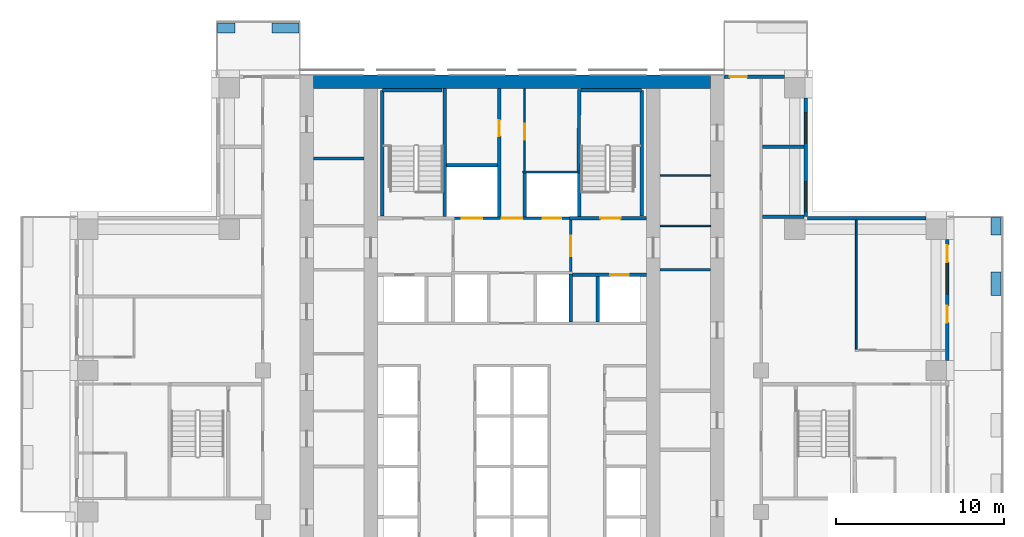
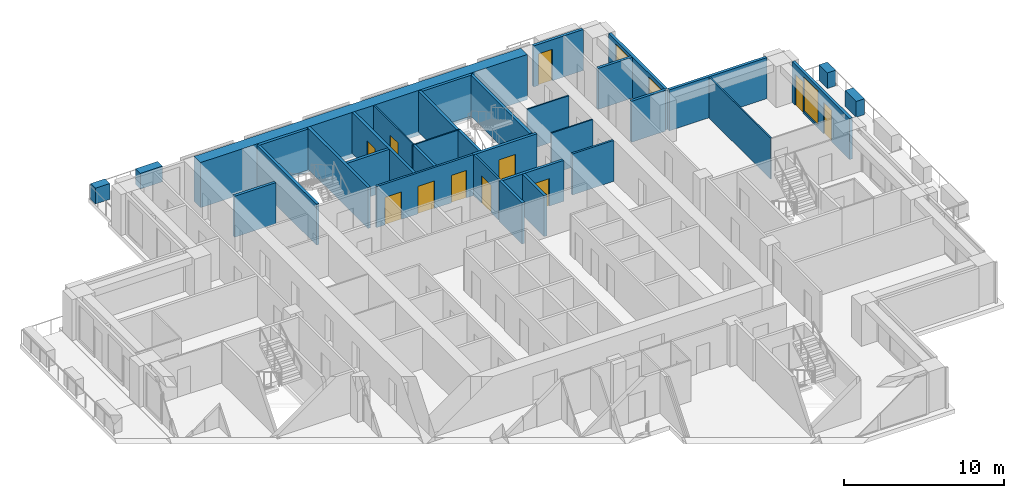
# One storey, part 11 of 16: 34 walls, 11 doors, 3 windows, 14 openings.
"""IFC4 building model written with IfcOpenShell, lengths in metres."""

from ifc_helpers import new_model, si_unit, direction, frame, frame_2d, origin, place, context, subcontext, project, spatial, rectangle, extrude, material, layer, layer_set, type_object, element, fill, save


model = new_model("IFC4")

# Units and contexts
model_context = context("Model", 3, precision=1e-05, world=origin(), true_north=direction((0.0, 1.0)))
body_context = subcontext(model_context, "Body", "Model", "MODEL_VIEW")
ifc_project = project(units=[si_unit("LENGTHUNIT", "METRE"), si_unit("AREAUNIT", "SQUARE_METRE"), si_unit("VOLUMEUNIT", "CUBIC_METRE"), si_unit("PLANEANGLEUNIT", "RADIAN"), si_unit("MASSUNIT", "GRAM", prefix="KILO")], contexts=[model_context])

# Site, building, storey
site_placement = place(None, origin())
site = spatial("IfcSite", under=ifc_project, at=site_placement, CompositionType="ELEMENT")
building_placement = place(site_placement, origin())
building = spatial("IfcBuilding", under=site, at=building_placement, Name="Vermilion Ogive Tower", CompositionType="ELEMENT")
storey_placement = place(building_placement, frame((0.0, 0.0, 101.10009765625)))
storey = spatial("IfcBuildingStorey", under=building, at=storey_placement, Name="L25", CompositionType="ELEMENT", Elevation=101.10009765625)

# Walls
ifc_material_1 = material(Name="Concrete B80", Category="concrete")
ifc_layer_1 = layer(ifc_material_1, 0.800048828125)
ifc_layer_set_1 = layer_set([ifc_layer_1], Name="Core wall 800 B80")
wall_type_1 = type_object("IfcWallType", Name="Core wall 800 B80", PredefinedType="SHEAR", material=ifc_layer_set_1)
wall_1_placement = place(storey_placement, frame((-11.800048828125, 21.35009765625, -0.320068359375), z_axis=(0.0, 0.0, 1.0), x_axis=(1.0, 0.0, 0.0)))
element("IfcWall", 1, at=wall_1_placement, inside=storey, type_object=wall_type_1, Name="L25-CORE-N", PredefinedType="SHEAR", context=body_context, shape_type="SweptSolid", body=[
    extrude(rectangle(XDim=23.60009765625, YDim=0.800048828125, at=frame_2d((11.800048828125, 0.0))), origin(), (0.0, 0.0, 1.0), 3.449951171875),
])
ifc_material_2 = material(Name="Gypsum board partition on steel studs", Category="steel")
ifc_layer_2 = layer(ifc_material_2, 0.10009765625)
ifc_layer_set_2 = layer_set([ifc_layer_2], Name="Partition 100 bath")
wall_type_2 = type_object("IfcWallType", Name="Partition 100 bath", PredefinedType="PARTITIONING", material=ifc_layer_set_2)
wall_2_placement = place(storey_placement, frame((0.64990234375, 16.0, 0.0), z_axis=(0.0, 0.0, 1.0), x_axis=(1.0, 0.0, 0.0)))
element("IfcWall", 2, at=wall_2_placement, inside=storey, type_object=wall_type_2, Name="L25-CK-W-W021", PredefinedType="PARTITIONING", context=body_context, shape_type="SweptSolid", body=[
    extrude(rectangle(XDim=3.4501953125, YDim=0.10009765625, at=frame_2d((1.72509765625, 0.0))), origin(), (0.0, 0.0, 1.0), 3.1298828125),
])

# Wall, opening, door
wall_3_placement = place(storey_placement, frame((0.75, 16.050048828125, 0.0), z_axis=(0.0, 0.0, 1.0), x_axis=(0.0, 1.0, 0.0)))
wall_3 = element("IfcWall", 3, at=wall_3_placement, inside=storey, type_object=wall_type_2, Name="L25-CK-W-W033", PredefinedType="PARTITIONING", context=body_context, shape_type="SweptSolid", body=[
    extrude(rectangle(XDim=4.89892578125, YDim=0.10009765625, at=frame_2d((2.449462890625, 0.0))), origin(), (0.0, 0.0, 1.0), 3.1298828125),
])
opening_1_placement = place(wall_3_placement, frame((1.875, 0.0, 0.0)))
opening_1 = element("IfcOpeningElement", 4, at=opening_1_placement, cuts=wall_3, Name="Opening DAA193", PredefinedType="OPENING", context=body_context, shape_type="SweptSolid", body=[
    extrude(rectangle(XDim=0.949951171875, YDim=2.10009765625, at=frame_2d((0.47509765625, 1.050048828125))), frame((0.0, 0.06005859375, 0.0), z_axis=(0.0, -1.0, 0.0), x_axis=(1.0, 0.0, 0.0)), (0.0, 0.0, 1.0), 0.1201171875),
])
ifc_material_3 = material(Name="Timber door leaf", Category="wood")
door_type_1 = type_object("IfcDoorType", Name="Service door 950 x 2100 FD60", OperationType="SINGLE_SWING_LEFT", PredefinedType="DOOR", material=ifc_material_3)
door_1_placement = place(opening_1_placement, origin())
door_1 = element("IfcDoor", 5, at=door_1_placement, inside=storey, type_object=door_type_1, Name="L25-CK-D-D022", OperationType="SINGLE_SWING_LEFT", OverallHeight=2.10009765625, OverallWidth=0.949951171875, PredefinedType="DOOR", context=body_context, shape_type="SweptSolid", body=[
    extrude(rectangle(XDim=0.949951171875, YDim=2.10009765625, at=frame_2d((0.47509765625, 1.050048828125))), frame((0.0, 0.02490234375, 0.0), z_axis=(0.0, -1.0, 0.0), x_axis=(1.0, 0.0, 0.0)), (0.0, 0.0, 1.0), 0.050048828125),
])
fill(opening_1, door_1)

# Walls
for number, where, z_axis, x_axis, name in (
    (6, (8.801025390625, 12.800048828125, 0.0), (0.0, 0.0, 1.0), (1.0, 0.0, 0.0), "L25-CKE-W-W004"),
    (7, (8.801025390625, 15.800048828125, 0.0), (0.0, 0.0, 1.0), (1.0, 0.0, 0.0), "L25-CKE-W-W005"),
):
    element("IfcWall", number, at=place(storey_placement, frame(where, z_axis=z_axis, x_axis=x_axis)), inside=storey, type_object=wall_type_2, Name=name, PredefinedType="PARTITIONING", context=body_context, shape_type="SweptSolid", body=[
        extrude(rectangle(XDim=2.998046875, YDim=0.10009765625, at=frame_2d((1.4990234375, 0.0))), origin(), (0.0, 0.0, 1.0), 3.1298828125),
    ])
ifc_material_4 = material(Name="Gypsum board partition on steel studs", Category="steel")
ifc_layer_3 = layer(ifc_material_4, 0.10009765625)
ifc_layer_set_3 = layer_set([ifc_layer_3], Name="Partition 100 inner")
wall_type_3 = type_object("IfcWallType", Name="Partition 100 inner", PredefinedType="PARTITIONING", material=ifc_layer_set_3)
wall_4_placement = place(storey_placement, frame((20.449951171875, 5.449951171875, 0.0), z_axis=(0.0, 0.0, 1.0), x_axis=(0.0, 1.0, 0.0)))
element("IfcWall", 8, at=wall_4_placement, inside=storey, type_object=wall_type_3, Name="L25-W-W050", PredefinedType="PARTITIONING", context=body_context, shape_type="SweptSolid", body=[
    extrude(rectangle(XDim=7.699951171875, YDim=0.10009765625, at=frame_2d((3.85009765625, 0.0))), origin(), (0.0, 0.0, 1.0), 3.1298828125),
])

# Wall, openings, doors
ifc_material_5 = material(Name="Gypsum board partition on steel studs", Category="steel")
ifc_layer_4 = layer(ifc_material_5, 0.14990234375)
ifc_layer_set_4 = layer_set([ifc_layer_4], Name="Partition 150 corridor")
wall_type_4 = type_object("IfcWallType", Name="Partition 150 corridor", PredefinedType="PARTITIONING", material=ifc_layer_set_4)
wall_5_placement = place(storey_placement, frame((-3.574951171875, 13.25, 0.0), z_axis=(0.0, 0.0, 1.0), x_axis=(1.0, 0.0, 0.0)))
wall_5 = element("IfcWall", 9, at=wall_5_placement, inside=storey, type_object=wall_type_4, Name="L25-CK-W-W019", PredefinedType="PARTITIONING", context=body_context, shape_type="SweptSolid", body=[
    extrude(rectangle(XDim=7.14990234375, YDim=0.14990234375, at=frame_2d((3.574951171875, 0.0))), origin(), (0.0, 0.0, 1.0), 3.1298828125),
])
opening_2_placement = place(wall_5_placement, frame((0.599853515625, 0.0, 0.0)))
opening_2 = element("IfcOpeningElement", 10, at=opening_2_placement, cuts=wall_5, Name="Opening DAA207", PredefinedType="OPENING", context=body_context, shape_type="SweptSolid", body=[
    extrude(rectangle(XDim=1.199951171875, YDim=2.10009765625, at=frame_2d((0.60009765625, 1.050048828125))), frame((0.0, 0.0849609375, 0.0), z_axis=(0.0, -1.0, 0.0), x_axis=(1.0, 0.0, 0.0)), (0.0, 0.0, 1.0), 0.169921875),
])
opening_3_placement = place(wall_5_placement, frame((5.39990234375, 0.0, 0.0)))
opening_3 = element("IfcOpeningElement", 11, at=opening_3_placement, cuts=wall_5, Name="Opening DAA198", PredefinedType="OPENING", context=body_context, shape_type="SweptSolid", body=[
    extrude(rectangle(XDim=1.10009765625, YDim=2.10009765625, at=frame_2d((0.550048828125, 1.050048828125))), frame((0.0, 0.0849609375, 0.0), z_axis=(0.0, -1.0, 0.0), x_axis=(1.0, 0.0, 0.0)), (0.0, 0.0, 1.0), 0.169921875),
])
opening_4_placement = place(wall_5_placement, frame((2.974853515625, 0.0, 0.0)))
opening_4 = element("IfcOpeningElement", 12, at=opening_4_placement, cuts=wall_5, Name="Opening DAA188", PredefinedType="OPENING", context=body_context, shape_type="SweptSolid", body=[
    extrude(rectangle(XDim=1.199951171875, YDim=2.10009765625, at=frame_2d((0.60009765625, 1.050048828125))), frame((0.0, 0.0849609375, 0.0), z_axis=(0.0, -1.0, 0.0), x_axis=(1.0, 0.0, 0.0)), (0.0, 0.0, 1.0), 0.169921875),
])
ifc_material_6 = material(Name="Stainless steel", Category="steel")
door_type_2 = type_object("IfcDoorType", Name="Lift landing door 1100 x 2100", OperationType="SLIDING_TO_LEFT", PredefinedType="DOOR", material=ifc_material_6)
door_2_placement = place(opening_3_placement, origin())
door_2 = element("IfcDoor", 13, at=door_2_placement, inside=storey, type_object=door_type_2, Name="L25-CK-D-D019", OperationType="SLIDING_TO_LEFT", OverallHeight=2.10009765625, OverallWidth=1.10009765625, PredefinedType="DOOR", context=body_context, shape_type="SweptSolid", body=[
    extrude(rectangle(XDim=1.10009765625, YDim=2.10009765625, at=frame_2d((0.550048828125, 1.050048828125))), frame((0.0, 0.02490234375, 0.0), z_axis=(0.0, -1.0, 0.0), x_axis=(1.0, 0.0, 0.0)), (0.0, 0.0, 1.0), 0.050048828125),
])
fill(opening_3, door_2)
ifc_material_7 = material(Name="Stainless steel", Category="steel")
door_type_3 = type_object("IfcDoorType", Name="Lift landing door 1200 x 2100", OperationType="SLIDING_TO_LEFT", PredefinedType="DOOR", material=ifc_material_7)
door_3_placement = place(opening_2_placement, origin())
door_3 = element("IfcDoor", 14, at=door_3_placement, inside=storey, type_object=door_type_3, Name="L25-CK-D-D018", OperationType="SLIDING_TO_RIGHT", OverallHeight=2.10009765625, OverallWidth=1.199951171875, PredefinedType="DOOR", context=body_context, shape_type="SweptSolid", body=[
    extrude(rectangle(XDim=1.199951171875, YDim=2.10009765625, at=frame_2d((0.60009765625, 1.050048828125))), frame((0.0, 0.02490234375, 0.0), z_axis=(0.0, -1.0, 0.0), x_axis=(1.0, 0.0, 0.0)), (0.0, 0.0, 1.0), 0.050048828125),
])
fill(opening_2, door_3)
ifc_material_8 = material(Name="Timber door leaf", Category="wood")
door_type_4 = type_object("IfcDoorType", Name="Service door 1200 x 2100 FD60", OperationType="SINGLE_SWING_LEFT", PredefinedType="DOOR", material=ifc_material_8)
door_4_placement = place(opening_4_placement, origin())
door_4 = element("IfcDoor", 15, at=door_4_placement, inside=storey, type_object=door_type_4, Name="L25-CK-D-D020", OperationType="SINGLE_SWING_RIGHT", OverallHeight=2.10009765625, OverallWidth=1.199951171875, PredefinedType="DOOR", context=body_context, shape_type="SweptSolid", body=[
    extrude(rectangle(XDim=1.199951171875, YDim=2.10009765625, at=frame_2d((0.60009765625, 1.050048828125))), frame((0.0, 0.02490234375, 0.0), z_axis=(0.0, -1.0, 0.0), x_axis=(1.0, 0.0, 0.0)), (0.0, 0.0, 1.0), 0.050048828125),
])
fill(opening_4, door_4)

# Wall, opening, door
wall_6_placement = place(storey_placement, frame((3.5, 10.074951171875, 0.0), z_axis=(0.0, 0.0, 1.0), x_axis=(0.0, 1.0, 0.0)))
wall_6 = element("IfcWall", 16, at=wall_6_placement, inside=storey, type_object=wall_type_4, Name="L25-CK-W-W037", PredefinedType="PARTITIONING", context=body_context, shape_type="SweptSolid", body=[
    extrude(rectangle(XDim=3.074951171875, YDim=0.14990234375, at=frame_2d((1.53759765625, 0.0))), origin(), (0.0, 0.0, 1.0), 3.1298828125),
])
opening_5_placement = place(wall_6_placement, frame((0.925048828125, 0.0, 0.0)))
opening_5 = element("IfcOpeningElement", 17, at=opening_5_placement, cuts=wall_6, Name="Opening DAA185", PredefinedType="OPENING", context=body_context, shape_type="SweptSolid", body=[
    extrude(rectangle(XDim=1.199951171875, YDim=2.10009765625, at=frame_2d((0.60009765625, 1.050048828125))), frame((0.0, 0.0849609375, 0.0), z_axis=(0.0, -1.0, 0.0), x_axis=(1.0, 0.0, 0.0)), (0.0, 0.0, 1.0), 0.169921875),
])
ifc_material_9 = material(Name="Timber door leaf", Category="wood")
door_type_5 = type_object("IfcDoorType", Name="Lobby door 1200 x 2100 FD60S", OperationType="SINGLE_SWING_LEFT", PredefinedType="DOOR", material=ifc_material_9)
door_5_placement = place(opening_5_placement, origin())
door_5 = element("IfcDoor", 18, at=door_5_placement, inside=storey, type_object=door_type_5, Name="L25-CK-D-D024", OperationType="SINGLE_SWING_LEFT", OverallHeight=2.10009765625, OverallWidth=1.199951171875, PredefinedType="DOOR", context=body_context, shape_type="SweptSolid", body=[
    extrude(rectangle(XDim=1.199951171875, YDim=2.10009765625, at=frame_2d((0.60009765625, 1.050048828125))), frame((0.0, 0.02490234375, 0.0), z_axis=(0.0, -1.0, 0.0), x_axis=(1.0, 0.0, 0.0)), (0.0, 0.0, 1.0), 0.050048828125),
])
fill(opening_5, door_5)

# Walls
wall_7_placement = place(storey_placement, frame((8.801025390625, 10.199951171875, 0.0), z_axis=(0.0, 0.0, 1.0), x_axis=(1.0, 0.0, 0.0)))
element("IfcWall", 19, at=wall_7_placement, inside=storey, type_object=wall_type_4, Name="L25-CKE-W-W003", PredefinedType="PARTITIONING", context=body_context, shape_type="SweptSolid", body=[
    extrude(rectangle(XDim=2.998046875, YDim=0.14990234375, at=frame_2d((1.4990234375, 0.0))), origin(), (0.0, 0.0, 1.0), 3.1298828125),
])
ifc_material_10 = material(Name="Gypsum board partition on steel studs", Category="steel")
ifc_layer_5 = layer(ifc_material_10, 0.199951171875)
ifc_layer_set_5 = layer_set([ifc_layer_5], Name="Partition 200 party")
wall_type_5 = type_object("IfcWallType", Name="Partition 200 party", PredefinedType="PARTITIONING", material=ifc_layer_set_5)
for number, where, z_axis, x_axis, name in (
    (20, (14.875, 13.35009765625, 0.0), (0.0, 0.0, 1.0), (1.0, 0.0, 0.0), "L25-W-W029"),
    (21, (14.875, 17.5, 0.0), (0.0, 0.0, 1.0), (1.0, 0.0, 0.0), "L25-W-W031"),
):
    element("IfcWall", number, at=place(storey_placement, frame(where, z_axis=z_axis, x_axis=x_axis)), inside=storey, type_object=wall_type_5, Name=name, PredefinedType="PARTITIONING", context=body_context, shape_type="SweptSolid", body=[
        extrude(rectangle(XDim=2.47509765625, YDim=0.199951171875, at=frame_2d((1.237548828125, 0.0))), origin(), (0.0, 0.0, 1.0), 3.1298828125),
    ])

# Wall, opening, door
wall_8_placement = place(storey_placement, frame((3.60009765625, 9.89990234375, 0.0), z_axis=(0.0, 0.0, 1.0), x_axis=(1.0, 0.0, 0.0)))
wall_8 = element("IfcWall", 22, at=wall_8_placement, inside=storey, type_object=wall_type_5, Name="L25-CK-W-W016", PredefinedType="PARTITIONING", context=body_context, shape_type="SweptSolid", body=[
    extrude(rectangle(XDim=4.39892578125, YDim=0.199951171875, at=frame_2d((2.199462890625, 0.0))), origin(), (0.0, 0.0, 1.0), 3.1298828125),
])
opening_6_placement = place(wall_8_placement, frame((2.25, 0.0, 0.0)))
opening_6 = element("IfcOpeningElement", 23, at=opening_6_placement, cuts=wall_8, Name="Opening DAA197", PredefinedType="OPENING", context=body_context, shape_type="SweptSolid", body=[
    extrude(rectangle(XDim=1.10009765625, YDim=2.10009765625, at=frame_2d((0.550048828125, 1.050048828125))), frame((0.0, 0.10986328125, 0.0), z_axis=(0.0, -1.0, 0.0), x_axis=(1.0, 0.0, 0.0)), (0.0, 0.0, 1.0), 0.219970703125),
])
door_6_placement = place(opening_6_placement, origin())
door_6 = element("IfcDoor", 24, at=door_6_placement, inside=storey, type_object=door_type_2, Name="L25-CK-D-D015", OperationType="SLIDING_TO_LEFT", OverallHeight=2.10009765625, OverallWidth=1.10009765625, PredefinedType="DOOR", context=body_context, shape_type="SweptSolid", body=[
    extrude(rectangle(XDim=1.10009765625, YDim=2.10009765625, at=frame_2d((0.550048828125, 1.050048828125))), frame((0.0, 0.02490234375, 0.0), z_axis=(0.0, -1.0, 0.0), x_axis=(1.0, 0.0, 0.0)), (0.0, 0.0, 1.0), 0.050048828125),
])
fill(opening_6, door_6)

# Wall
wall_9_placement = place(storey_placement, frame((-3.89990234375, 16.39990234375, 0.0), z_axis=(0.0, 0.0, 1.0), x_axis=(1.0, 0.0, 0.0)))
element("IfcWall", 25, at=wall_9_placement, inside=storey, type_object=wall_type_5, Name="L25-CK-W-W022", PredefinedType="PARTITIONING", context=body_context, shape_type="SweptSolid", body=[
    extrude(rectangle(XDim=3.0498046875, YDim=0.199951171875, at=frame_2d((1.52490234375, 0.0))), origin(), (0.0, 0.0, 1.0), 3.1298828125),
])

# Wall, opening, door
wall_10_placement = place(storey_placement, frame((-0.75, 13.324951171875, 0.0), z_axis=(0.0, 0.0, 1.0), x_axis=(0.0, 1.0, 0.0)))
wall_10 = element("IfcWall", 26, at=wall_10_placement, inside=storey, type_object=wall_type_5, Name="L25-CK-W-W030", PredefinedType="PARTITIONING", context=body_context, shape_type="SweptSolid", body=[
    extrude(rectangle(XDim=7.6240234375, YDim=0.199951171875, at=frame_2d((3.81201171875, 0.0))), origin(), (0.0, 0.0, 1.0), 3.1298828125),
])
opening_7_placement = place(wall_10_placement, frame((4.800048828125, 0.0, 0.0)))
opening_7 = element("IfcOpeningElement", 27, at=opening_7_placement, cuts=wall_10, Name="Opening DAA192", PredefinedType="OPENING", context=body_context, shape_type="SweptSolid", body=[
    extrude(rectangle(XDim=0.949951171875, YDim=2.10009765625, at=frame_2d((0.47509765625, 1.050048828125))), frame((0.0, 0.10986328125, 0.0), z_axis=(0.0, -1.0, 0.0), x_axis=(1.0, 0.0, 0.0)), (0.0, 0.0, 1.0), 0.219970703125),
])
door_7_placement = place(opening_7_placement, origin())
door_7 = element("IfcDoor", 28, at=door_7_placement, inside=storey, type_object=door_type_1, Name="L25-CK-D-D021", OperationType="SINGLE_SWING_RIGHT", OverallHeight=2.10009765625, OverallWidth=0.949951171875, PredefinedType="DOOR", context=body_context, shape_type="SweptSolid", body=[
    extrude(rectangle(XDim=0.949951171875, YDim=2.10009765625, at=frame_2d((0.47509765625, 1.050048828125))), frame((0.0, 0.02490234375, 0.0), z_axis=(0.0, -1.0, 0.0), x_axis=(1.0, 0.0, 0.0)), (0.0, 0.0, 1.0), 0.050048828125),
])
fill(opening_7, door_7)

# Walls
wall_11_placement = place(storey_placement, frame((0.75, 13.324951171875, 0.0), z_axis=(0.0, 0.0, 1.0), x_axis=(0.0, 1.0, 0.0)))
element("IfcWall", 29, at=wall_11_placement, inside=storey, type_object=wall_type_5, Name="L25-CK-W-W032", PredefinedType="PARTITIONING", context=body_context, shape_type="SweptSolid", body=[
    extrude(rectangle(XDim=2.625, YDim=0.199951171875, at=frame_2d((1.3125, 0.0))), origin(), (0.0, 0.0, 1.0), 3.1298828125),
])
wall_12_placement = place(storey_placement, frame((3.5, 7.074951171875, 0.0), z_axis=(0.0, 0.0, 1.0), x_axis=(0.0, 1.0, 0.0)))
element("IfcWall", 30, at=wall_12_placement, inside=storey, type_object=wall_type_5, Name="L25-CK-W-W036", PredefinedType="PARTITIONING", context=body_context, shape_type="SweptSolid", body=[
    extrude(rectangle(XDim=2.85009765625, YDim=0.199951171875, at=frame_2d((1.425048828125, 0.0))), origin(), (0.0, 0.0, 1.0), 3.1298828125),
])
wall_13_placement = place(storey_placement, frame((5.10009765625, 7.074951171875, 0.0), z_axis=(0.0, 0.0, 1.0), x_axis=(0.0, 1.0, 0.0)))
element("IfcWall", 31, at=wall_13_placement, inside=storey, type_object=wall_type_5, Name="L25-CK-W-W040", PredefinedType="PARTITIONING", context=body_context, shape_type="SweptSolid", body=[
    extrude(rectangle(XDim=2.72509765625, YDim=0.199951171875, at=frame_2d((1.362548828125, 0.0))), origin(), (0.0, 0.0, 1.0), 3.1298828125),
])
wall_14_placement = place(storey_placement, frame((-11.799072265625, 16.800048828125, 0.0), z_axis=(0.0, 0.0, 1.0), x_axis=(1.0, 0.0, 0.0)))
element("IfcWall", 32, at=wall_14_placement, inside=storey, type_object=wall_type_5, Name="L25-CKW-W-W006", PredefinedType="PARTITIONING", context=body_context, shape_type="SweptSolid", body=[
    extrude(rectangle(XDim=2.998046875, YDim=0.199951171875, at=frame_2d((1.4990234375, 0.0))), origin(), (0.0, 0.0, 1.0), 3.1298828125),
])

# Wall, opening, door
ifc_material_11 = material(Name="Concrete B60", Category="concrete")
ifc_layer_6 = layer(ifc_material_11, 0.199951171875)
ifc_layer_set_6 = layer_set([ifc_layer_6], Name="Stair shaft wall 200 Concrete B60")
wall_type_6 = type_object("IfcWallType", Name="Stair shaft wall 200 Concrete B60", PredefinedType="SOLIDWALL", material=ifc_layer_set_6)
wall_15_placement = place(storey_placement, frame((3.425048828125, 13.25, 0.0), z_axis=(0.0, 0.0, 1.0), x_axis=(1.0, 0.0, 0.0)))
wall_15 = element("IfcWall", 33, at=wall_15_placement, inside=storey, type_object=wall_type_6, Name="L25-CK-W-W020", PredefinedType="SOLIDWALL", context=body_context, shape_type="SweptSolid", body=[
    extrude(rectangle(XDim=4.573974609375, YDim=0.199951171875, at=frame_2d((2.287109375, 0.0))), origin(), (0.0, 0.0, 1.0), 3.1298828125),
])
opening_8_placement = place(wall_15_placement, frame((1.824951171875, 0.0, 0.0)))
opening_8 = element("IfcOpeningElement", 34, at=opening_8_placement, cuts=wall_15, Name="Opening DAA195", PredefinedType="OPENING", context=body_context, shape_type="SweptSolid", body=[
    extrude(rectangle(XDim=1.199951171875, YDim=2.10009765625, at=frame_2d((0.60009765625, 1.050048828125))), frame((0.0, 0.10986328125, 0.0), z_axis=(0.0, -1.0, 0.0), x_axis=(1.0, 0.0, 0.0)), (0.0, 0.0, 1.0), 0.219970703125),
])
ifc_material_12 = material(Name="Timber door leaf", Category="wood")
door_type_6 = type_object("IfcDoorType", Name="Stair door 1200 x 2100 FD60S", OperationType="SINGLE_SWING_LEFT", PredefinedType="DOOR", material=ifc_material_12)
door_8_placement = place(opening_8_placement, origin())
door_8 = element("IfcDoor", 35, at=door_8_placement, inside=storey, type_object=door_type_6, Name="L25-CK-D-D014", OperationType="SINGLE_SWING_RIGHT", OverallHeight=2.10009765625, OverallWidth=1.199951171875, PredefinedType="DOOR", context=body_context, shape_type="SweptSolid", body=[
    extrude(rectangle(XDim=1.199951171875, YDim=2.10009765625, at=frame_2d((0.60009765625, 1.050048828125))), frame((0.0, 0.02490234375, 0.0), z_axis=(0.0, -1.0, 0.0), x_axis=(1.0, 0.0, 0.0)), (0.0, 0.0, 1.0), 0.050048828125),
])
fill(opening_8, door_8)

# Walls
wall_16_placement = place(storey_placement, frame((-4.0, 13.35009765625, 0.0), z_axis=(0.0, 0.0, 1.0), x_axis=(0.0, 1.0, 0.0)))
element("IfcWall", 36, at=wall_16_placement, inside=storey, type_object=wall_type_6, Name="L25-CK-W-W025", PredefinedType="SOLIDWALL", context=body_context, shape_type="SweptSolid", body=[
    extrude(rectangle(XDim=7.598876953125, YDim=0.199951171875, at=frame_2d((3.79931640625, 0.0))), origin(), (0.0, 0.0, 1.0), 3.1298828125),
])
wall_17_placement = place(storey_placement, frame((4.0, 13.35009765625, 0.0), z_axis=(0.0, 0.0, 1.0), x_axis=(0.0, 1.0, 0.0)))
element("IfcWall", 37, at=wall_17_placement, inside=storey, type_object=wall_type_6, Name="L25-CK-W-W038", PredefinedType="SOLIDWALL", context=body_context, shape_type="SweptSolid", body=[
    extrude(rectangle(XDim=2.599853515625, YDim=0.199951171875, at=frame_2d((1.2998046875, 0.0))), origin(), (0.0, 0.0, 1.0), 3.1298828125),
])
wall_18_placement = place(storey_placement, frame((3.949951171875, 16.050048828125, 0.0), z_axis=(0.0, 0.0, 1.0), x_axis=(0.01032118628, 0.999946735138, 0.0)))
element("IfcWall", 38, at=wall_18_placement, inside=storey, type_object=wall_type_6, Name="L25-CK-W-W039", PredefinedType="SOLIDWALL", context=body_context, shape_type="SweptSolid", body=[
    extrude(rectangle(XDim=4.84912109375, YDim=0.199951171875, at=frame_2d((2.424560546875, 0.0))), origin(), (0.0, 0.0, 1.0), 3.1298828125),
])
wall_19_placement = place(storey_placement, frame((-7.699951171875, 13.39990234375, 0.0), z_axis=(0.0, 0.0, 1.0), x_axis=(0.0, 1.0, 0.0)))
element("IfcWall", 39, at=wall_19_placement, inside=storey, type_object=wall_type_6, Name="L25-SW-R023-W1", PredefinedType="SOLIDWALL", context=body_context, shape_type="SweptSolid", body=[
    extrude(rectangle(XDim=7.4501953125, YDim=0.199951171875, at=frame_2d((3.72509765625, 0.0))), origin(), (0.0, 0.0, 1.0), 3.1298828125),
])
wall_20_placement = place(storey_placement, frame((-7.699951171875, 20.85009765625, 0.0), z_axis=(0.0, 0.0, 1.0), x_axis=(1.0, 0.0, 0.0)))
element("IfcWall", 40, at=wall_20_placement, inside=storey, type_object=wall_type_6, Name="L25-SW-R023-N1", PredefinedType="SOLIDWALL", context=body_context, shape_type="SweptSolid", body=[
    extrude(rectangle(XDim=3.550048828125, YDim=0.199951171875, at=frame_2d((1.77490234375, 0.0))), origin(), (0.0, 0.0, 1.0), 3.1298828125),
])
wall_21_placement = place(storey_placement, frame((7.699951171875, 13.39990234375, 0.0), z_axis=(0.0, 0.0, 1.0), x_axis=(0.0, 1.0, 0.0)))
element("IfcWall", 41, at=wall_21_placement, inside=storey, type_object=wall_type_6, Name="L25-SW-R027-E1", PredefinedType="SOLIDWALL", context=body_context, shape_type="SweptSolid", body=[
    extrude(rectangle(XDim=7.4501953125, YDim=0.199951171875, at=frame_2d((3.72509765625, 0.0))), origin(), (0.0, 0.0, 1.0), 3.1298828125),
])
wall_22_placement = place(storey_placement, frame((4.10009765625, 20.85009765625, 0.0), z_axis=(0.0, 0.0, 1.0), x_axis=(1.0, 0.0, 0.0)))
element("IfcWall", 42, at=wall_22_placement, inside=storey, type_object=wall_type_6, Name="L25-SW-R027-N1", PredefinedType="SOLIDWALL", context=body_context, shape_type="SweptSolid", body=[
    extrude(rectangle(XDim=3.599853515625, YDim=0.199951171875, at=frame_2d((1.7998046875, 0.0))), origin(), (0.0, 0.0, 1.0), 3.1298828125),
])
ifc_material_13 = material(Name="Concrete B40", Category="concrete")
ifc_layer_7 = layer(ifc_material_13, 0.60009765625)
ifc_layer_set_7 = layer_set([ifc_layer_7], Name="Structural planter")
wall_type_7 = type_object("IfcWallType", Name="Structural planter", PredefinedType="USERDEFINED", material=ifc_layer_set_7)
wall_23_placement = place(storey_placement, frame((28.75, 8.64990234375, -0.0400390625), z_axis=(0.0, 0.0, 1.0), x_axis=(0.0, 1.0, 0.0)))
element("IfcWall", 43, at=wall_23_placement, inside=storey, type_object=wall_type_7, Name="Planter E03A2", ObjectType="PLANTER", PredefinedType="USERDEFINED", context=body_context, shape_type="SweptSolid", body=[
    extrude(rectangle(XDim=1.400146484375, YDim=0.60009765625, at=frame_2d((0.7001953125, 0.0))), origin(), (0.0, 0.0, 1.0), 1.199951171875),
])
wall_24_placement = place(storey_placement, frame((28.75, 12.25, -0.0400390625), z_axis=(0.0, 0.0, 1.0), x_axis=(0.0, 1.0, 0.0)))
element("IfcWall", 44, at=wall_24_placement, inside=storey, type_object=wall_type_7, Name="Planter E03A3", ObjectType="PLANTER", PredefinedType="USERDEFINED", context=body_context, shape_type="SweptSolid", body=[
    extrude(rectangle(XDim=1.0400390625, YDim=0.60009765625, at=frame_2d((0.52001953125, 0.0))), origin(), (0.0, 0.0, 1.0), 1.199951171875),
])
wall_25_placement = place(storey_placement, frame((-12.659912109375, 24.550048828125, -0.0400390625), z_axis=(0.0, 0.0, 1.0), x_axis=(-1.0, 0.0, 0.0)))
element("IfcWall", 45, at=wall_25_placement, inside=storey, type_object=wall_type_7, Name="Planter N201A1", ObjectType="PLANTER", PredefinedType="USERDEFINED", context=body_context, shape_type="SweptSolid", body=[
    extrude(rectangle(XDim=1.590087890625, YDim=0.60009765625, at=frame_2d((0.794921875, 0.0))), origin(), (0.0, 0.0, 1.0), 1.199951171875),
])
wall_26_placement = place(storey_placement, frame((-16.449951171875, 24.550048828125, -0.0400390625), z_axis=(0.0, 0.0, 1.0), x_axis=(-1.0, 0.0, 0.0)))
element("IfcWall", 46, at=wall_26_placement, inside=storey, type_object=wall_type_7, Name="Planter N201A2", ObjectType="PLANTER", PredefinedType="USERDEFINED", context=body_context, shape_type="SweptSolid", body=[
    extrude(rectangle(XDim=1.0400390625, YDim=0.60009765625, at=frame_2d((0.52001953125, 0.0))), origin(), (0.0, 0.0, 1.0), 1.199951171875),
])

# Wall, openings, doors, window
ifc_material_14 = material(Name="Aluminium window wall framing", Category="aluminium")
ifc_layer_8 = layer(ifc_material_14, 0.199951171875)
ifc_layer_set_8 = layer_set([ifc_layer_8], Name="Window wall")
wall_type_8 = type_object("IfcWallType", Name="Window wall", PredefinedType="STANDARD", material=ifc_layer_set_8)
wall_27_placement = place(storey_placement, frame((25.85009765625, 4.800048828125, 0.0), z_axis=(0.0, 0.0, 1.0), x_axis=(0.0, 1.0, 0.0)))
wall_27 = element("IfcWall", 47, at=wall_27_placement, inside=storey, type_object=wall_type_8, Name="Window wall E3", PredefinedType="STANDARD", context=body_context, shape_type="SweptSolid", body=[
    extrude(rectangle(XDim=7.199951171875, YDim=0.199951171875, at=frame_2d((3.60009765625, 0.0))), origin(), (0.0, 0.0, 1.0), 3.1298828125),
])
opening_9_placement = place(wall_27_placement, frame((2.25, 0.0, 0.0)))
opening_9 = element("IfcOpeningElement", 48, at=opening_9_placement, cuts=wall_27, Name="Opening D1-E01", PredefinedType="OPENING", context=body_context, shape_type="SweptSolid", body=[
    extrude(rectangle(XDim=1.0, YDim=2.39990234375, at=frame_2d((0.5, 1.199951171875))), frame((0.0, 0.10986328125, 0.0), z_axis=(0.0, -1.0, 0.0), x_axis=(1.0, 0.0, 0.0)), (0.0, 0.0, 1.0), 0.219970703125),
])
opening_10_placement = place(wall_27_placement, frame((3.949951171875, 0.0, 0.199951171875)))
opening_10 = element("IfcOpeningElement", 49, at=opening_10_placement, cuts=wall_27, Name="Opening W1-E02", PredefinedType="OPENING", context=body_context, shape_type="SweptSolid", body=[
    extrude(rectangle(XDim=1.800048828125, YDim=2.64990234375, at=frame_2d((0.89990234375, 1.324951171875))), frame((0.0, 0.10986328125, 0.0), z_axis=(0.0, -1.0, 0.0), x_axis=(1.0, 0.0, 0.0)), (0.0, 0.0, 1.0), 0.219970703125),
])
opening_11_placement = place(wall_27_placement, frame((5.85009765625, 0.0, 0.0)))
opening_11 = element("IfcOpeningElement", 50, at=opening_11_placement, cuts=wall_27, Name="Opening D1-E02", PredefinedType="OPENING", context=body_context, shape_type="SweptSolid", body=[
    extrude(rectangle(XDim=1.0, YDim=2.39990234375, at=frame_2d((0.5, 1.199951171875))), frame((0.0, 0.10986328125, 0.0), z_axis=(0.0, -1.0, 0.0), x_axis=(1.0, 0.0, 0.0)), (0.0, 0.0, 1.0), 0.219970703125),
])
ifc_material_15 = material(Name="Aluminium framed glazed door", Category="aluminium")
door_type_7 = type_object("IfcDoorType", Name="Balcony door D1", OperationType="SINGLE_SWING_LEFT", PredefinedType="DOOR", material=ifc_material_15)
door_9_placement = place(opening_9_placement, origin())
door_9 = element("IfcDoor", 51, at=door_9_placement, inside=storey, type_object=door_type_7, Name="Balcony door E01", OperationType="SINGLE_SWING_LEFT", OverallHeight=2.39990234375, OverallWidth=1.0, PredefinedType="DOOR", context=body_context, shape_type="SweptSolid", body=[
    extrude(rectangle(XDim=1.0, YDim=2.39990234375, at=frame_2d((0.5, 1.199951171875))), frame((0.0, 0.02490234375, 0.0), z_axis=(0.0, -1.0, 0.0), x_axis=(1.0, 0.0, 0.0)), (0.0, 0.0, 1.0), 0.050048828125),
])
fill(opening_9, door_9)
door_10_placement = place(opening_11_placement, origin())
door_10 = element("IfcDoor", 52, at=door_10_placement, inside=storey, type_object=door_type_7, Name="Balcony door E02", OperationType="SINGLE_SWING_LEFT", OverallHeight=2.39990234375, OverallWidth=1.0, PredefinedType="DOOR", context=body_context, shape_type="SweptSolid", body=[
    extrude(rectangle(XDim=1.0, YDim=2.39990234375, at=frame_2d((0.5, 1.199951171875))), frame((0.0, 0.02490234375, 0.0), z_axis=(0.0, -1.0, 0.0), x_axis=(1.0, 0.0, 0.0)), (0.0, 0.0, 1.0), 0.050048828125),
])
fill(opening_11, door_10)
ifc_material_16 = material(Name="Aluminium framed double glazing", Category="aluminium")
window_type = type_object("IfcWindowType", Name="Guest window W1", PartitioningType="SINGLE_PANEL", PredefinedType="WINDOW", material=ifc_material_16)
window_1_placement = place(opening_10_placement, origin())
window_1 = element("IfcWindow", 53, at=window_1_placement, inside=storey, type_object=window_type, Name="Window E02", OverallHeight=2.64990234375, OverallWidth=1.800048828125, PartitioningType="SINGLE_PANEL", PredefinedType="WINDOW", context=body_context, shape_type="SweptSolid", body=[
    extrude(rectangle(XDim=1.800048828125, YDim=2.64990234375, at=frame_2d((0.89990234375, 1.324951171875))), frame((0.0, 0.030029296875, 0.0), z_axis=(0.0, -1.0, 0.0), x_axis=(1.0, 0.0, 0.0)), (0.0, 0.0, 1.0), 0.06005859375),
])
fill(opening_10, window_1)

# Wall
wall_28_placement = place(storey_placement, frame((24.60009765625, 13.25, 0.0), z_axis=(0.0, 0.0, 1.0), x_axis=(-1.0, 0.0, 0.0)))
element("IfcWall", 54, at=wall_28_placement, inside=storey, type_object=wall_type_8, Name="Window wall X31", PredefinedType="STANDARD", context=body_context, shape_type="SweptSolid", body=[
    extrude(rectangle(XDim=7.050048828125, YDim=0.199951171875, at=frame_2d((3.52490234375, 0.0))), origin(), (0.0, 0.0, 1.0), 3.1298828125),
])

# Wall, openings, windows
wall_29_placement = place(storey_placement, frame((17.449951171875, 13.35009765625, 0.0), z_axis=(0.0, 0.0, 1.0), x_axis=(0.0, 1.0, 0.0)))
wall_29 = element("IfcWall", 55, at=wall_29_placement, inside=storey, type_object=wall_type_8, Name="Window wall X41", PredefinedType="STANDARD", context=body_context, shape_type="SweptSolid", body=[
    extrude(rectangle(XDim=7.0498046875, YDim=0.199951171875, at=frame_2d((3.52490234375, 0.0))), origin(), (0.0, 0.0, 1.0), 3.1298828125),
])
opening_12_placement = place(wall_29_placement, frame((0.27490234375, 0.0, 0.199951171875)))
opening_12 = element("IfcOpeningElement", 56, at=opening_12_placement, cuts=wall_29, Name="Opening W1-X403", PredefinedType="OPENING", context=body_context, shape_type="SweptSolid", body=[
    extrude(rectangle(XDim=1.800048828125, YDim=2.64990234375, at=frame_2d((0.89990234375, 1.324951171875))), frame((0.0, 0.10986328125, 0.0), z_axis=(0.0, -1.0, 0.0), x_axis=(1.0, 0.0, 0.0)), (0.0, 0.0, 1.0), 0.219970703125),
])
opening_13_placement = place(wall_29_placement, frame((4.3701171875, 0.0, 0.199951171875)))
opening_13 = element("IfcOpeningElement", 57, at=opening_13_placement, cuts=wall_29, Name="Opening W1-X404", PredefinedType="OPENING", context=body_context, shape_type="SweptSolid", body=[
    extrude(rectangle(XDim=1.800048828125, YDim=2.64990234375, at=frame_2d((0.89990234375, 1.324951171875))), frame((0.0, 0.10986328125, 0.0), z_axis=(0.0, -1.0, 0.0), x_axis=(1.0, 0.0, 0.0)), (0.0, 0.0, 1.0), 0.219970703125),
])
window_2_placement = place(opening_12_placement, origin())
window_2 = element("IfcWindow", 58, at=window_2_placement, inside=storey, type_object=window_type, Name="Window X403", OverallHeight=2.64990234375, OverallWidth=1.800048828125, PartitioningType="SINGLE_PANEL", PredefinedType="WINDOW", context=body_context, shape_type="SweptSolid", body=[
    extrude(rectangle(XDim=1.800048828125, YDim=2.64990234375, at=frame_2d((0.89990234375, 1.324951171875))), frame((0.0, 0.030029296875, 0.0), z_axis=(0.0, -1.0, 0.0), x_axis=(1.0, 0.0, 0.0)), (0.0, 0.0, 1.0), 0.06005859375),
])
fill(opening_12, window_2)
window_3_placement = place(opening_13_placement, origin())
window_3 = element("IfcWindow", 59, at=window_3_placement, inside=storey, type_object=window_type, Name="Window X404", OverallHeight=2.64990234375, OverallWidth=1.800048828125, PartitioningType="SINGLE_PANEL", PredefinedType="WINDOW", context=body_context, shape_type="SweptSolid", body=[
    extrude(rectangle(XDim=1.800048828125, YDim=2.64990234375, at=frame_2d((0.89990234375, 1.324951171875))), frame((0.0, 0.030029296875, 0.0), z_axis=(0.0, -1.0, 0.0), x_axis=(1.0, 0.0, 0.0)), (0.0, 0.0, 1.0), 0.06005859375),
])
fill(opening_13, window_3)

# Wall, opening, door
wall_30_placement = place(storey_placement, frame((16.199951171875, 21.64990234375, 0.0), z_axis=(0.0, 0.0, 1.0), x_axis=(-1.0, 0.0, 0.0)))
wall_30 = element("IfcWall", 60, at=wall_30_placement, inside=storey, type_object=wall_type_8, Name="Window wall N11", PredefinedType="STANDARD", context=body_context, shape_type="SweptSolid", body=[
    extrude(rectangle(XDim=3.599853515625, YDim=0.199951171875, at=frame_2d((1.7998046875, 0.0))), origin(), (0.0, 0.0, 1.0), 3.1298828125),
])
opening_14_placement = place(wall_30_placement, frame((2.25, 0.0, 0.0)))
opening_14 = element("IfcOpeningElement", 61, at=opening_14_placement, cuts=wall_30, Name="Opening D1-N103", PredefinedType="OPENING", context=body_context, shape_type="SweptSolid", body=[
    extrude(rectangle(XDim=1.0, YDim=2.39990234375, at=frame_2d((0.5, 1.199951171875))), frame((0.0, 0.10986328125, 0.0), z_axis=(0.0, -1.0, 0.0), x_axis=(1.0, 0.0, 0.0)), (0.0, 0.0, 1.0), 0.219970703125),
])
door_11_placement = place(opening_14_placement, origin())
door_11 = element("IfcDoor", 62, at=door_11_placement, inside=storey, type_object=door_type_7, Name="Balcony door N103", OperationType="SINGLE_SWING_LEFT", OverallHeight=2.39990234375, OverallWidth=1.0, PredefinedType="DOOR", context=body_context, shape_type="SweptSolid", body=[
    extrude(rectangle(XDim=1.0, YDim=2.39990234375, at=frame_2d((0.5, 1.199951171875))), frame((0.0, 0.02490234375, 0.0), z_axis=(0.0, -1.0, 0.0), x_axis=(1.0, 0.0, 0.0)), (0.0, 0.0, 1.0), 0.050048828125),
])
fill(opening_14, door_11)

save(model, "model.ifc")
